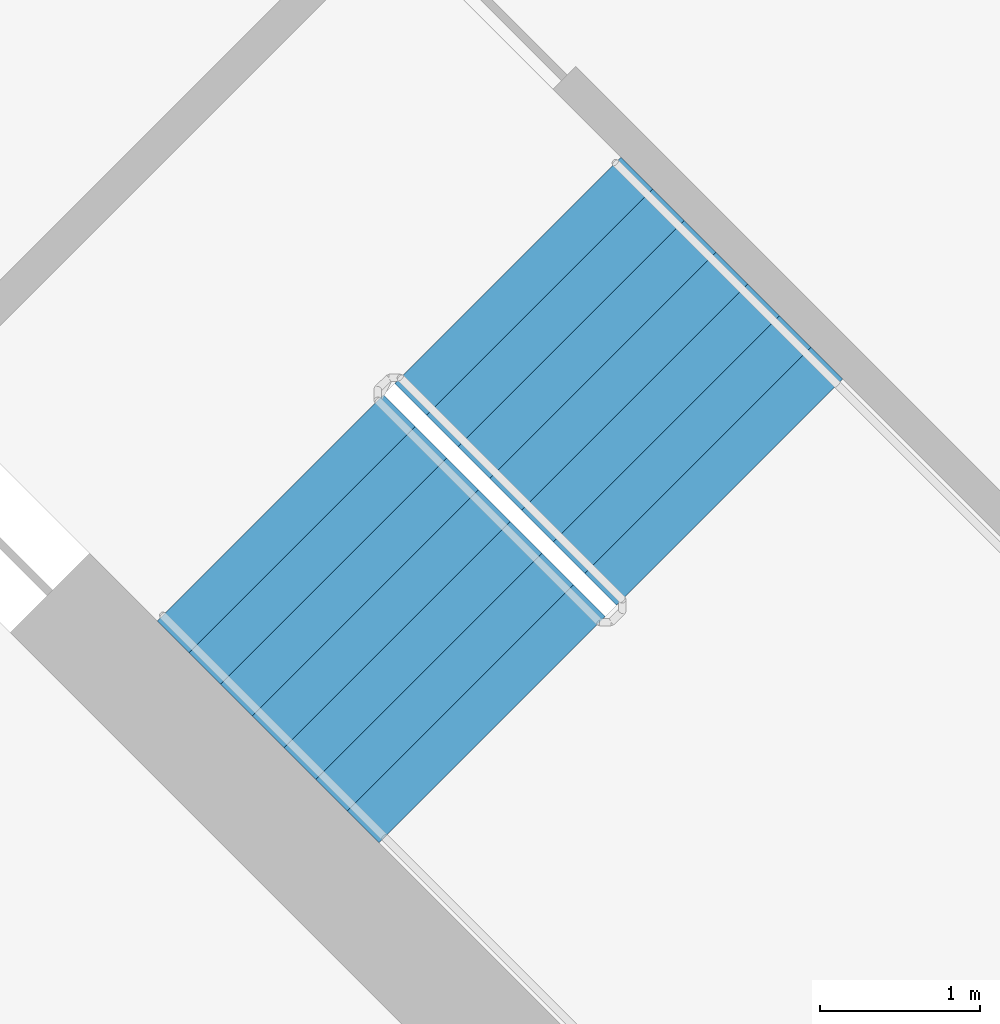
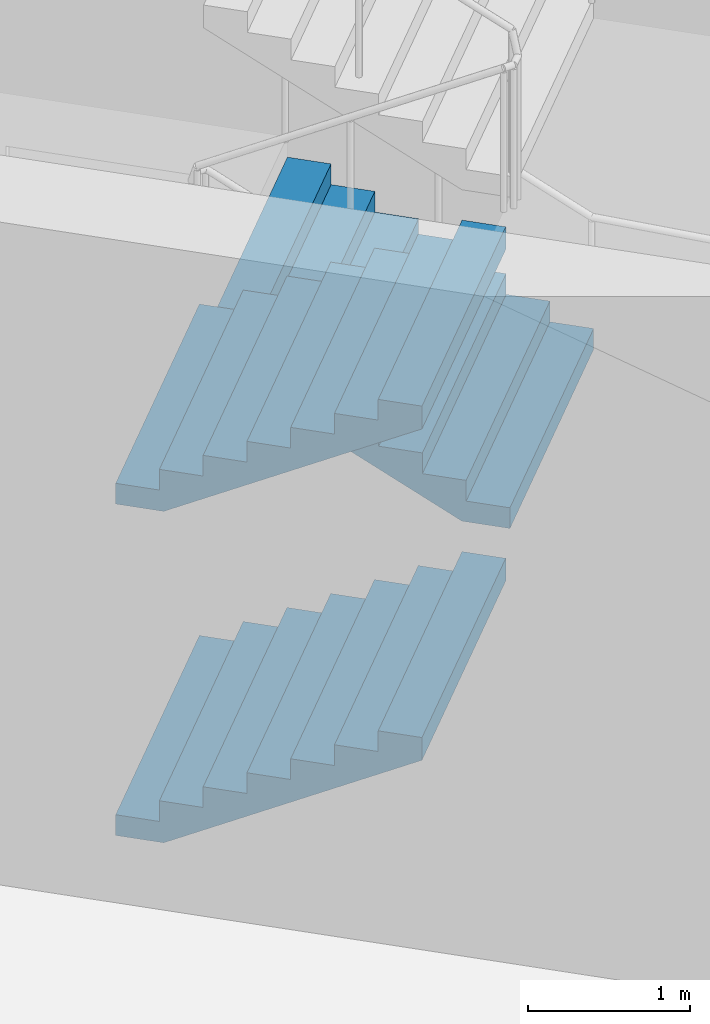
# One storey, part 12 of 17: 3 stair flights, 1 element without a shape of its own.
"""IFC4 building model written with IfcOpenShell, lengths in metres."""

from ifc_helpers import new_model, si_unit, direction, frame, origin, place, context, subcontext, project, spatial, triangles, material, type_object, element, aggregate, save


model = new_model("IFC4")

# Units and contexts
model_context = context("Model", 3, precision=1e-05, world=origin(), true_north=direction((0.0, 1.0)))
body_context = subcontext(model_context, "Body", "Model", "MODEL_VIEW")
ifc_project = project(units=[si_unit("LENGTHUNIT", "METRE"), si_unit("AREAUNIT", "SQUARE_METRE"), si_unit("VOLUMEUNIT", "CUBIC_METRE"), si_unit("PLANEANGLEUNIT", "RADIAN"), si_unit("MASSUNIT", "GRAM", prefix="KILO")], contexts=[model_context])

# Site, building, storey
site_placement = place(None, origin())
site = spatial("IfcSite", under=ifc_project, at=site_placement, CompositionType="ELEMENT")
building_placement = place(site_placement, origin())
building = spatial("IfcBuilding", under=site, at=building_placement, Name="Verdalira Terraces Hotel", CompositionType="ELEMENT")
storey_placement = place(building_placement, frame((0.0, 0.0, 128.0)))
storey = spatial("IfcBuildingStorey", under=building, at=storey_placement, Name="L30", CompositionType="ELEMENT", Elevation=128.0)

# Stair, stair flights
ifc_material_1 = material(Name="Concrete C40", Category="concrete")
stair_type = type_object("IfcStairType", Name="Core stair 32 risers 2000 mm wide", PredefinedType="HALF_TURN_STAIR", material=ifc_material_1)
stair_placement = place(storey_placement, origin())
stair = element("IfcStair", 1, at=stair_placement, inside=storey, type_object=stair_type, Name="L30 Exit stair ST2", PredefinedType="HALF_TURN_STAIR")
ifc_material_2 = material(Name="Concrete C40", Category="concrete")
stair_flight_type = type_object("IfcStairFlightType", Name="Core stair flight 32 risers 2000 mm wide", PredefinedType="STRAIGHT", material=ifc_material_2)
stair_flight_1_placement = place(storey_placement, frame((-10.041016, -7.354004, 0.0), z_axis=(0.0, 0.0, 1.0), x_axis=(0.707106781, -0.707106781, 0.0)))
stair_flight_1 = element("IfcStairFlight", 2, at=stair_flight_1_placement, type_object=stair_flight_type, Name="ST2 flight 1", NumberOfRisers=8, NumberOfTreads=7, PredefinedType="STRAIGHT", RiserHeight=0.15625, TreadLength=0.28, context=body_context, shape_type="Tessellation", body=[
    triangles([(0.0, 1.0, 0.0), (0.307617, 1.0, 0.0), (1.959961, 1.0, 0.922119), (0.0, -1.0, 0.0), (0.307617, -1.0, 0.0), (1.959961, -1.0, 0.922119), (1.959961, 1.0, 1.09375), (1.679932, 1.0, 1.09375), (1.959961, -1.0, 1.09375), (1.679932, -1.0, 1.09375), (1.679932, 1.0, 0.9375), (1.679932, -1.0, 0.9375), (1.399902, 1.0, 0.9375), (1.399902, -1.0, 0.9375), (1.399902, 1.0, 0.78125), (1.399902, -1.0, 0.78125), (1.120117, 1.0, 0.78125), (1.120117, 1.0, 0.625), (1.120117, -1.0, 0.78125), (1.120117, -1.0, 0.625), (0.840088, 1.0, 0.625), (0.840088, 1.0, 0.46875), (0.840088, -1.0, 0.625), (0.840088, -1.0, 0.46875), (0.560059, 1.0, 0.46875), (0.560059, 1.0, 0.3125), (0.560059, -1.0, 0.46875), (0.560059, -1.0, 0.3125), (0.280029, 1.0, 0.3125), (0.280029, 1.0, 0.15625), (0.280029, -1.0, 0.3125), (0.280029, -1.0, 0.15625), (0.0, 1.0, 0.15625), (0.0, -1.0, 0.15625), (0.0, -0.9375, 0.0), (0.0, -0.9375, 0.15625), (0.0, -0.875, 0.0), (0.0, -0.875, 0.15625), (0.0, -0.8125, 0.0), (0.0, -0.8125, 0.15625), (0.0, -0.75, 0.0), (0.0, -0.75, 0.15625), (0.0, -0.6875, 0.0), (0.0, -0.6875, 0.15625), (0.0, -0.625, 0.0), (0.0, -0.625, 0.15625), (0.0, -0.5625, 0.0), (0.0, -0.5625, 0.15625), (0.0, -0.5, 0.0), (0.0, -0.5, 0.15625), (0.0, -0.4375, 0.0), (0.0, -0.4375, 0.15625), (0.0, -0.375, 0.0), (0.0, -0.375, 0.15625), (0.0, -0.3125, 0.0), (0.0, -0.3125, 0.15625), (0.0, -0.25, 0.0), (0.0, -0.25, 0.15625), (0.0, -0.1875, 0.0), (0.0, -0.1875, 0.15625), (0.0, -0.125, 0.0), (0.0, -0.125, 0.15625), (0.0, -0.0625, 0.0), (0.0, -0.0625, 0.15625), (0.0, 0.0, 0.0), (0.0, 0.0, 0.15625), (0.0, 0.0625, 0.0), (0.0, 0.0625, 0.15625), (0.0, 0.125, 0.0), (0.0, 0.125, 0.15625), (0.0, 0.1875, 0.0), (0.0, 0.1875, 0.15625), (0.0, 0.25, 0.0), (0.0, 0.25, 0.15625), (0.0, 0.3125, 0.0), (0.0, 0.3125, 0.15625), (0.0, 0.375, 0.0), (0.0, 0.375, 0.15625), (0.0, 0.4375, 0.0), (0.0, 0.4375, 0.15625), (0.0, 0.5, 0.0), (0.0, 0.5, 0.15625), (0.0, 0.5625, 0.0), (0.0, 0.5625, 0.15625), (0.0, 0.625, 0.0), (0.0, 0.625, 0.15625), (0.0, 0.6875, 0.0), (0.0, 0.6875, 0.15625), (0.0, 0.75, 0.0), (0.0, 0.75, 0.15625), (0.0, 0.8125, 0.0), (0.0, 0.8125, 0.15625), (0.0, 0.875, 0.0), (0.0, 0.875, 0.15625), (0.0, 0.9375, 0.0), (0.0, 0.9375, 0.15625), (1.959961, -0.9375, 1.09375), (1.959961, -0.875, 1.09375), (1.959961, -0.8125, 1.09375), (1.959961, -0.75, 1.09375), (1.959961, -0.6875, 1.09375), (1.959961, -0.625, 1.09375), (1.959961, -0.5625, 1.09375), (1.959961, -0.5, 1.09375), (1.959961, -0.4375, 1.09375), (1.959961, -0.375, 1.09375), (1.959961, -0.3125, 1.09375), (1.959961, -0.25, 1.09375), (1.959961, -0.1875, 1.09375), (1.959961, -0.125, 1.09375), (1.959961, -0.0625, 1.09375), (1.959961, 0.0, 1.09375), (1.959961, 0.0625, 1.09375), (1.959961, 0.125, 1.09375), (1.959961, 0.1875, 1.09375), (1.959961, 0.25, 1.09375), (1.959961, 0.3125, 1.09375), (1.959961, 0.375, 1.09375), (1.959961, 0.4375, 1.09375), (1.959961, 0.5, 1.09375), (1.959961, 0.5625, 1.09375), (1.959961, 0.625, 1.09375), (1.959961, 0.6875, 1.09375), (1.959961, 0.75, 1.09375), (1.959961, 0.8125, 1.09375), (1.959961, 0.875, 1.09375), (1.959961, 0.9375, 1.09375), (1.959961, -0.9375, 0.922119), (1.959961, -0.875, 0.922119), (1.959961, -0.8125, 0.922119), (1.959961, -0.75, 0.922119), (1.959961, -0.6875, 0.922119), (1.959961, -0.625, 0.922119), (1.959961, -0.5625, 0.922119), (1.959961, -0.5, 0.922119), (1.959961, -0.4375, 0.922119), (1.959961, -0.375, 0.922119), (1.959961, -0.3125, 0.922119), (1.959961, -0.25, 0.922119), (1.959961, -0.1875, 0.922119), (1.959961, -0.125, 0.922119), (1.959961, -0.0625, 0.922119), (1.959961, 0.0, 0.922119), (1.959961, 0.0625, 0.922119), (1.959961, 0.125, 0.922119), (1.959961, 0.1875, 0.922119), (1.959961, 0.25, 0.922119), (1.959961, 0.3125, 0.922119), (1.959961, 0.375, 0.922119), (1.959961, 0.4375, 0.922119), (1.959961, 0.5, 0.922119), (1.959961, 0.5625, 0.922119), (1.959961, 0.625, 0.922119), (1.959961, 0.6875, 0.922119), (1.959961, 0.75, 0.922119), (1.959961, 0.8125, 0.922119), (1.959961, 0.875, 0.922119), (1.959961, 0.9375, 0.922119)], [[1, 3, 2], [4, 5, 6], [3, 8, 7], [6, 9, 10], [3, 11, 8], [6, 10, 12], [3, 13, 11], [6, 12, 14], [3, 15, 13], [6, 14, 16], [15, 18, 17], [16, 19, 20], [3, 18, 15], [6, 16, 20], [18, 22, 21], [20, 23, 24], [3, 22, 18], [6, 20, 24], [22, 26, 25], [24, 27, 28], [3, 26, 22], [6, 24, 28], [26, 30, 29], [28, 31, 32], [3, 30, 26], [6, 28, 32], [1, 30, 3], [4, 6, 32], [30, 1, 33], [32, 34, 4], [4, 36, 35], [4, 34, 36], [35, 38, 37], [35, 36, 38], [37, 40, 39], [37, 38, 40], [39, 42, 41], [39, 40, 42], [41, 44, 43], [41, 42, 44], [43, 46, 45], [43, 44, 46], [45, 48, 47], [45, 46, 48], [47, 50, 49], [47, 48, 50], [49, 52, 51], [49, 50, 52], [51, 54, 53], [51, 52, 54], [53, 56, 55], [53, 54, 56], [55, 58, 57], [55, 56, 58], [57, 60, 59], [57, 58, 60], [59, 62, 61], [59, 60, 62], [61, 64, 63], [61, 62, 64], [63, 66, 65], [63, 64, 66], [65, 68, 67], [65, 66, 68], [67, 70, 69], [67, 68, 70], [69, 72, 71], [69, 70, 72], [71, 74, 73], [71, 72, 74], [73, 76, 75], [73, 74, 76], [75, 78, 77], [75, 76, 78], [77, 80, 79], [77, 78, 80], [79, 82, 81], [79, 80, 82], [81, 84, 83], [81, 82, 84], [83, 86, 85], [83, 84, 86], [85, 88, 87], [85, 86, 88], [87, 90, 89], [87, 88, 90], [89, 92, 91], [89, 90, 92], [91, 94, 93], [91, 92, 94], [93, 96, 95], [93, 94, 96], [95, 33, 1], [95, 96, 33], [34, 32, 36], [36, 32, 38], [38, 32, 40], [40, 32, 42], [42, 32, 44], [44, 32, 46], [46, 32, 48], [48, 32, 50], [50, 32, 52], [52, 32, 54], [54, 32, 56], [56, 32, 58], [58, 32, 60], [60, 32, 62], [62, 32, 64], [64, 32, 66], [66, 32, 68], [68, 32, 70], [70, 32, 72], [72, 32, 74], [74, 32, 76], [76, 32, 78], [78, 32, 80], [80, 32, 82], [82, 32, 84], [84, 32, 86], [86, 32, 88], [88, 32, 90], [90, 32, 92], [92, 32, 94], [94, 32, 96], [96, 32, 33], [33, 32, 30], [32, 29, 30], [32, 31, 29], [31, 26, 29], [31, 28, 26], [28, 25, 26], [28, 27, 25], [27, 22, 25], [27, 24, 22], [24, 21, 22], [24, 23, 21], [23, 18, 21], [23, 20, 18], [20, 17, 18], [20, 19, 17], [19, 15, 17], [19, 16, 15], [16, 13, 15], [16, 14, 13], [14, 11, 13], [14, 12, 11], [12, 8, 11], [12, 10, 8], [9, 97, 10], [97, 98, 10], [98, 99, 10], [99, 100, 10], [100, 101, 10], [101, 102, 10], [102, 103, 10], [103, 104, 10], [104, 105, 10], [105, 106, 10], [106, 107, 10], [107, 108, 10], [108, 109, 10], [109, 110, 10], [110, 111, 10], [111, 112, 10], [112, 113, 10], [113, 114, 10], [114, 115, 10], [115, 116, 10], [116, 117, 10], [117, 118, 10], [118, 119, 10], [119, 120, 10], [120, 121, 10], [121, 122, 10], [122, 123, 10], [123, 124, 10], [124, 125, 10], [125, 126, 10], [126, 127, 10], [127, 7, 10], [7, 8, 10], [9, 128, 97], [9, 6, 128], [97, 129, 98], [97, 128, 129], [98, 130, 99], [98, 129, 130], [99, 131, 100], [99, 130, 131], [100, 132, 101], [100, 131, 132], [101, 133, 102], [101, 132, 133], [102, 134, 103], [102, 133, 134], [103, 135, 104], [103, 134, 135], [104, 136, 105], [104, 135, 136], [105, 137, 106], [105, 136, 137], [106, 138, 107], [106, 137, 138], [107, 139, 108], [107, 138, 139], [108, 140, 109], [108, 139, 140], [109, 141, 110], [109, 140, 141], [110, 142, 111], [110, 141, 142], [111, 143, 112], [111, 142, 143], [112, 144, 113], [112, 143, 144], [113, 145, 114], [113, 144, 145], [114, 146, 115], [114, 145, 146], [115, 147, 116], [115, 146, 147], [116, 148, 117], [116, 147, 148], [117, 149, 118], [117, 148, 149], [118, 150, 119], [118, 149, 150], [119, 151, 120], [119, 150, 151], [120, 152, 121], [120, 151, 152], [121, 153, 122], [121, 152, 153], [122, 154, 123], [122, 153, 154], [123, 155, 124], [123, 154, 155], [124, 156, 125], [124, 155, 156], [125, 157, 126], [125, 156, 157], [126, 158, 127], [126, 157, 158], [127, 3, 7], [127, 158, 3], [6, 5, 128], [128, 5, 129], [129, 5, 130], [130, 5, 131], [131, 5, 132], [132, 5, 133], [133, 5, 134], [134, 5, 135], [135, 5, 136], [136, 5, 137], [137, 5, 138], [138, 5, 139], [139, 5, 140], [140, 5, 141], [141, 5, 142], [142, 5, 143], [143, 5, 144], [144, 5, 145], [145, 5, 146], [146, 5, 147], [147, 5, 148], [148, 5, 149], [149, 5, 150], [150, 5, 151], [151, 5, 152], [152, 5, 153], [153, 5, 154], [154, 5, 155], [155, 5, 156], [156, 5, 157], [157, 5, 158], [158, 5, 3], [3, 5, 2], [4, 35, 5], [35, 37, 5], [37, 39, 5], [39, 41, 5], [41, 43, 5], [43, 45, 5], [45, 47, 5], [47, 49, 5], [49, 51, 5], [51, 53, 5], [53, 55, 5], [55, 57, 5], [57, 59, 5], [59, 61, 5], [61, 63, 5], [63, 65, 5], [65, 67, 5], [67, 69, 5], [69, 71, 5], [71, 73, 5], [73, 75, 5], [75, 77, 5], [77, 79, 5], [79, 81, 5], [81, 83, 5], [83, 85, 5], [85, 87, 5], [87, 89, 5], [89, 91, 5], [91, 93, 5], [93, 95, 5], [95, 1, 5], [1, 2, 5]], closed=True),
])
stair_flight_2_placement = place(storey_placement, frame((-7.170166, -7.254883, 1.25), z_axis=(0.0, 0.0, 1.0), x_axis=(-0.707106781, 0.707106781, 0.0)))
stair_flight_2 = element("IfcStairFlight", 3, at=stair_flight_2_placement, type_object=stair_flight_type, Name="ST2 flight 2", NumberOfRisers=8, NumberOfTreads=7, PredefinedType="STRAIGHT", RiserHeight=0.15625, TreadLength=0.28, context=body_context, shape_type="Tessellation", body=[
    triangles([(0.0, 1.0, 0.0), (0.307617, 1.0, 0.0), (1.959961, 1.0, 0.922119), (0.0, -1.0, 0.0), (0.307617, -1.0, 0.0), (1.959961, -1.0, 0.922119), (1.959961, 1.0, 1.09375), (1.679932, 1.0, 1.09375), (1.959961, -1.0, 1.09375), (1.679932, -1.0, 1.09375), (1.679932, 1.0, 0.9375), (1.679932, -1.0, 0.9375), (1.399902, 1.0, 0.9375), (1.399902, -1.0, 0.9375), (1.399902, 1.0, 0.78125), (1.399902, -1.0, 0.78125), (1.120117, 1.0, 0.78125), (1.120117, 1.0, 0.625), (1.120117, -1.0, 0.78125), (1.120117, -1.0, 0.625), (0.840088, 1.0, 0.625), (0.840088, 1.0, 0.46875), (0.840088, -1.0, 0.625), (0.840088, -1.0, 0.46875), (0.560059, 1.0, 0.46875), (0.560059, 1.0, 0.3125), (0.560059, -1.0, 0.46875), (0.560059, -1.0, 0.3125), (0.280029, 1.0, 0.3125), (0.280029, 1.0, 0.15625), (0.280029, -1.0, 0.3125), (0.280029, -1.0, 0.15625), (0.0, 1.0, 0.15625), (0.0, -1.0, 0.15625), (0.0, -0.9375, 0.0), (0.0, -0.9375, 0.15625), (0.0, -0.875, 0.0), (0.0, -0.875, 0.15625), (0.0, -0.8125, 0.0), (0.0, -0.8125, 0.15625), (0.0, -0.75, 0.0), (0.0, -0.75, 0.15625), (0.0, -0.6875, 0.0), (0.0, -0.6875, 0.15625), (0.0, -0.625, 0.0), (0.0, -0.625, 0.15625), (0.0, -0.5625, 0.0), (0.0, -0.5625, 0.15625), (0.0, -0.5, 0.0), (0.0, -0.5, 0.15625), (0.0, -0.4375, 0.0), (0.0, -0.4375, 0.15625), (0.0, -0.375, 0.0), (0.0, -0.375, 0.15625), (0.0, -0.3125, 0.0), (0.0, -0.3125, 0.15625), (0.0, -0.25, 0.0), (0.0, -0.25, 0.15625), (0.0, -0.1875, 0.0), (0.0, -0.1875, 0.15625), (0.0, -0.125, 0.0), (0.0, -0.125, 0.15625), (0.0, -0.0625, 0.0), (0.0, -0.0625, 0.15625), (0.0, 0.0, 0.0), (0.0, 0.0, 0.15625), (0.0, 0.0625, 0.0), (0.0, 0.0625, 0.15625), (0.0, 0.125, 0.0), (0.0, 0.125, 0.15625), (0.0, 0.1875, 0.0), (0.0, 0.1875, 0.15625), (0.0, 0.25, 0.0), (0.0, 0.25, 0.15625), (0.0, 0.3125, 0.0), (0.0, 0.3125, 0.15625), (0.0, 0.375, 0.0), (0.0, 0.375, 0.15625), (0.0, 0.4375, 0.0), (0.0, 0.4375, 0.15625), (0.0, 0.5, 0.0), (0.0, 0.5, 0.15625), (0.0, 0.5625, 0.0), (0.0, 0.5625, 0.15625), (0.0, 0.625, 0.0), (0.0, 0.625, 0.15625), (0.0, 0.6875, 0.0), (0.0, 0.6875, 0.15625), (0.0, 0.75, 0.0), (0.0, 0.75, 0.15625), (0.0, 0.8125, 0.0), (0.0, 0.8125, 0.15625), (0.0, 0.875, 0.0), (0.0, 0.875, 0.15625), (0.0, 0.9375, 0.0), (0.0, 0.9375, 0.15625), (1.959961, -0.9375, 1.09375), (1.959961, -0.875, 1.09375), (1.959961, -0.8125, 1.09375), (1.959961, -0.75, 1.09375), (1.959961, -0.6875, 1.09375), (1.959961, -0.625, 1.09375), (1.959961, -0.5625, 1.09375), (1.959961, -0.5, 1.09375), (1.959961, -0.4375, 1.09375), (1.959961, -0.375, 1.09375), (1.959961, -0.3125, 1.09375), (1.959961, -0.25, 1.09375), (1.959961, -0.1875, 1.09375), (1.959961, -0.125, 1.09375), (1.959961, -0.0625, 1.09375), (1.959961, 0.0, 1.09375), (1.959961, 0.0625, 1.09375), (1.959961, 0.125, 1.09375), (1.959961, 0.1875, 1.09375), (1.959961, 0.25, 1.09375), (1.959961, 0.3125, 1.09375), (1.959961, 0.375, 1.09375), (1.959961, 0.4375, 1.09375), (1.959961, 0.5, 1.09375), (1.959961, 0.5625, 1.09375), (1.959961, 0.625, 1.09375), (1.959961, 0.6875, 1.09375), (1.959961, 0.75, 1.09375), (1.959961, 0.8125, 1.09375), (1.959961, 0.875, 1.09375), (1.959961, 0.9375, 1.09375), (1.959961, -0.9375, 0.922119), (1.959961, -0.875, 0.922119), (1.959961, -0.8125, 0.922119), (1.959961, -0.75, 0.922119), (1.959961, -0.6875, 0.922119), (1.959961, -0.625, 0.922119), (1.959961, -0.5625, 0.922119), (1.959961, -0.5, 0.922119), (1.959961, -0.4375, 0.922119), (1.959961, -0.375, 0.922119), (1.959961, -0.3125, 0.922119), (1.959961, -0.25, 0.922119), (1.959961, -0.1875, 0.922119), (1.959961, -0.125, 0.922119), (1.959961, -0.0625, 0.922119), (1.959961, 0.0, 0.922119), (1.959961, 0.0625, 0.922119), (1.959961, 0.125, 0.922119), (1.959961, 0.1875, 0.922119), (1.959961, 0.25, 0.922119), (1.959961, 0.3125, 0.922119), (1.959961, 0.375, 0.922119), (1.959961, 0.4375, 0.922119), (1.959961, 0.5, 0.922119), (1.959961, 0.5625, 0.922119), (1.959961, 0.625, 0.922119), (1.959961, 0.6875, 0.922119), (1.959961, 0.75, 0.922119), (1.959961, 0.8125, 0.922119), (1.959961, 0.875, 0.922119), (1.959961, 0.9375, 0.922119)], [[1, 3, 2], [4, 5, 6], [3, 8, 7], [6, 9, 10], [3, 11, 8], [6, 10, 12], [3, 13, 11], [6, 12, 14], [3, 15, 13], [6, 14, 16], [15, 18, 17], [16, 19, 20], [3, 18, 15], [6, 16, 20], [18, 22, 21], [20, 23, 24], [3, 22, 18], [6, 20, 24], [22, 26, 25], [24, 27, 28], [3, 26, 22], [6, 24, 28], [26, 30, 29], [28, 31, 32], [3, 30, 26], [6, 28, 32], [1, 30, 3], [4, 6, 32], [30, 1, 33], [32, 34, 4], [4, 36, 35], [4, 34, 36], [35, 38, 37], [35, 36, 38], [37, 40, 39], [37, 38, 40], [39, 42, 41], [39, 40, 42], [41, 44, 43], [41, 42, 44], [43, 46, 45], [43, 44, 46], [45, 48, 47], [45, 46, 48], [47, 50, 49], [47, 48, 50], [49, 52, 51], [49, 50, 52], [51, 54, 53], [51, 52, 54], [53, 56, 55], [53, 54, 56], [55, 58, 57], [55, 56, 58], [57, 60, 59], [57, 58, 60], [59, 62, 61], [59, 60, 62], [61, 64, 63], [61, 62, 64], [63, 66, 65], [63, 64, 66], [65, 68, 67], [65, 66, 68], [67, 70, 69], [67, 68, 70], [69, 72, 71], [69, 70, 72], [71, 74, 73], [71, 72, 74], [73, 76, 75], [73, 74, 76], [75, 78, 77], [75, 76, 78], [77, 80, 79], [77, 78, 80], [79, 82, 81], [79, 80, 82], [81, 84, 83], [81, 82, 84], [83, 86, 85], [83, 84, 86], [85, 88, 87], [85, 86, 88], [87, 90, 89], [87, 88, 90], [89, 92, 91], [89, 90, 92], [91, 94, 93], [91, 92, 94], [93, 96, 95], [93, 94, 96], [95, 33, 1], [95, 96, 33], [34, 32, 36], [36, 32, 38], [38, 32, 40], [40, 32, 42], [42, 32, 44], [44, 32, 46], [46, 32, 48], [48, 32, 50], [50, 32, 52], [52, 32, 54], [54, 32, 56], [56, 32, 58], [58, 32, 60], [60, 32, 62], [62, 32, 64], [64, 32, 66], [66, 32, 68], [68, 32, 70], [70, 32, 72], [72, 32, 74], [74, 32, 76], [76, 32, 78], [78, 32, 80], [80, 32, 82], [82, 32, 84], [84, 32, 86], [86, 32, 88], [88, 32, 90], [90, 32, 92], [92, 32, 94], [94, 32, 96], [96, 32, 33], [33, 32, 30], [32, 29, 30], [32, 31, 29], [31, 26, 29], [31, 28, 26], [28, 25, 26], [28, 27, 25], [27, 22, 25], [27, 24, 22], [24, 21, 22], [24, 23, 21], [23, 18, 21], [23, 20, 18], [20, 17, 18], [20, 19, 17], [19, 15, 17], [19, 16, 15], [16, 13, 15], [16, 14, 13], [14, 11, 13], [14, 12, 11], [12, 8, 11], [12, 10, 8], [9, 97, 10], [97, 98, 10], [98, 99, 10], [99, 100, 10], [100, 101, 10], [101, 102, 10], [102, 103, 10], [103, 104, 10], [104, 105, 10], [105, 106, 10], [106, 107, 10], [107, 108, 10], [108, 109, 10], [109, 110, 10], [110, 111, 10], [111, 112, 10], [112, 113, 10], [113, 114, 10], [114, 115, 10], [115, 116, 10], [116, 117, 10], [117, 118, 10], [118, 119, 10], [119, 120, 10], [120, 121, 10], [121, 122, 10], [122, 123, 10], [123, 124, 10], [124, 125, 10], [125, 126, 10], [126, 127, 10], [127, 7, 10], [7, 8, 10], [9, 128, 97], [9, 6, 128], [97, 129, 98], [97, 128, 129], [98, 130, 99], [98, 129, 130], [99, 131, 100], [99, 130, 131], [100, 132, 101], [100, 131, 132], [101, 133, 102], [101, 132, 133], [102, 134, 103], [102, 133, 134], [103, 135, 104], [103, 134, 135], [104, 136, 105], [104, 135, 136], [105, 137, 106], [105, 136, 137], [106, 138, 107], [106, 137, 138], [107, 139, 108], [107, 138, 139], [108, 140, 109], [108, 139, 140], [109, 141, 110], [109, 140, 141], [110, 142, 111], [110, 141, 142], [111, 143, 112], [111, 142, 143], [112, 144, 113], [112, 143, 144], [113, 145, 114], [113, 144, 145], [114, 146, 115], [114, 145, 146], [115, 147, 116], [115, 146, 147], [116, 148, 117], [116, 147, 148], [117, 149, 118], [117, 148, 149], [118, 150, 119], [118, 149, 150], [119, 151, 120], [119, 150, 151], [120, 152, 121], [120, 151, 152], [121, 153, 122], [121, 152, 153], [122, 154, 123], [122, 153, 154], [123, 155, 124], [123, 154, 155], [124, 156, 125], [124, 155, 156], [125, 157, 126], [125, 156, 157], [126, 158, 127], [126, 157, 158], [127, 3, 7], [127, 158, 3], [6, 5, 128], [128, 5, 129], [129, 5, 130], [130, 5, 131], [131, 5, 132], [132, 5, 133], [133, 5, 134], [134, 5, 135], [135, 5, 136], [136, 5, 137], [137, 5, 138], [138, 5, 139], [139, 5, 140], [140, 5, 141], [141, 5, 142], [142, 5, 143], [143, 5, 144], [144, 5, 145], [145, 5, 146], [146, 5, 147], [147, 5, 148], [148, 5, 149], [149, 5, 150], [150, 5, 151], [151, 5, 152], [152, 5, 153], [153, 5, 154], [154, 5, 155], [155, 5, 156], [156, 5, 157], [157, 5, 158], [158, 5, 3], [3, 5, 2], [4, 35, 5], [35, 37, 5], [37, 39, 5], [39, 41, 5], [41, 43, 5], [43, 45, 5], [45, 47, 5], [47, 49, 5], [49, 51, 5], [51, 53, 5], [53, 55, 5], [55, 57, 5], [57, 59, 5], [59, 61, 5], [61, 63, 5], [63, 65, 5], [65, 67, 5], [67, 69, 5], [69, 71, 5], [71, 73, 5], [73, 75, 5], [75, 77, 5], [77, 79, 5], [79, 81, 5], [81, 83, 5], [83, 85, 5], [85, 87, 5], [87, 89, 5], [89, 91, 5], [91, 93, 5], [93, 95, 5], [95, 1, 5], [1, 2, 5]], closed=True),
])
stair_flight_3_placement = place(storey_placement, frame((-10.041016, -7.354004, 2.5), z_axis=(0.0, 0.0, 1.0), x_axis=(0.707106781, -0.707106781, 0.0)))
stair_flight_3 = element("IfcStairFlight", 4, at=stair_flight_3_placement, type_object=stair_flight_type, Name="ST2 flight 3", NumberOfRisers=8, NumberOfTreads=7, PredefinedType="STRAIGHT", RiserHeight=0.15625, TreadLength=0.28, context=body_context, shape_type="Tessellation", body=[
    triangles([(0.0, 1.0, 0.0), (0.307617, 1.0, 0.0), (1.959961, 1.0, 0.922119), (0.0, -1.0, 0.0), (0.307617, -1.0, 0.0), (1.959961, -1.0, 0.922119), (1.959961, 1.0, 1.09375), (1.679932, 1.0, 1.09375), (1.959961, -1.0, 1.09375), (1.679932, -1.0, 1.09375), (1.679932, 1.0, 0.9375), (1.679932, -1.0, 0.9375), (1.399902, 1.0, 0.9375), (1.399902, -1.0, 0.9375), (1.399902, 1.0, 0.78125), (1.399902, -1.0, 0.78125), (1.120117, 1.0, 0.78125), (1.120117, 1.0, 0.625), (1.120117, -1.0, 0.78125), (1.120117, -1.0, 0.625), (0.840088, 1.0, 0.625), (0.840088, 1.0, 0.46875), (0.840088, -1.0, 0.625), (0.840088, -1.0, 0.46875), (0.560059, 1.0, 0.46875), (0.560059, 1.0, 0.3125), (0.560059, -1.0, 0.46875), (0.560059, -1.0, 0.3125), (0.280029, 1.0, 0.3125), (0.280029, 1.0, 0.15625), (0.280029, -1.0, 0.3125), (0.280029, -1.0, 0.15625), (0.0, 1.0, 0.15625), (0.0, -1.0, 0.15625), (0.0, -0.9375, 0.0), (0.0, -0.9375, 0.15625), (0.0, -0.875, 0.0), (0.0, -0.875, 0.15625), (0.0, -0.8125, 0.0), (0.0, -0.8125, 0.15625), (0.0, -0.75, 0.0), (0.0, -0.75, 0.15625), (0.0, -0.6875, 0.0), (0.0, -0.6875, 0.15625), (0.0, -0.625, 0.0), (0.0, -0.625, 0.15625), (0.0, -0.5625, 0.0), (0.0, -0.5625, 0.15625), (0.0, -0.5, 0.0), (0.0, -0.5, 0.15625), (0.0, -0.4375, 0.0), (0.0, -0.4375, 0.15625), (0.0, -0.375, 0.0), (0.0, -0.375, 0.15625), (0.0, -0.3125, 0.0), (0.0, -0.3125, 0.15625), (0.0, -0.25, 0.0), (0.0, -0.25, 0.15625), (0.0, -0.1875, 0.0), (0.0, -0.1875, 0.15625), (0.0, -0.125, 0.0), (0.0, -0.125, 0.15625), (0.0, -0.0625, 0.0), (0.0, -0.0625, 0.15625), (0.0, 0.0, 0.0), (0.0, 0.0, 0.15625), (0.0, 0.0625, 0.0), (0.0, 0.0625, 0.15625), (0.0, 0.125, 0.0), (0.0, 0.125, 0.15625), (0.0, 0.1875, 0.0), (0.0, 0.1875, 0.15625), (0.0, 0.25, 0.0), (0.0, 0.25, 0.15625), (0.0, 0.3125, 0.0), (0.0, 0.3125, 0.15625), (0.0, 0.375, 0.0), (0.0, 0.375, 0.15625), (0.0, 0.4375, 0.0), (0.0, 0.4375, 0.15625), (0.0, 0.5, 0.0), (0.0, 0.5, 0.15625), (0.0, 0.5625, 0.0), (0.0, 0.5625, 0.15625), (0.0, 0.625, 0.0), (0.0, 0.625, 0.15625), (0.0, 0.6875, 0.0), (0.0, 0.6875, 0.15625), (0.0, 0.75, 0.0), (0.0, 0.75, 0.15625), (0.0, 0.8125, 0.0), (0.0, 0.8125, 0.15625), (0.0, 0.875, 0.0), (0.0, 0.875, 0.15625), (0.0, 0.9375, 0.0), (0.0, 0.9375, 0.15625), (1.959961, -0.9375, 1.09375), (1.959961, -0.875, 1.09375), (1.959961, -0.8125, 1.09375), (1.959961, -0.75, 1.09375), (1.959961, -0.6875, 1.09375), (1.959961, -0.625, 1.09375), (1.959961, -0.5625, 1.09375), (1.959961, -0.5, 1.09375), (1.959961, -0.4375, 1.09375), (1.959961, -0.375, 1.09375), (1.959961, -0.3125, 1.09375), (1.959961, -0.25, 1.09375), (1.959961, -0.1875, 1.09375), (1.959961, -0.125, 1.09375), (1.959961, -0.0625, 1.09375), (1.959961, 0.0, 1.09375), (1.959961, 0.0625, 1.09375), (1.959961, 0.125, 1.09375), (1.959961, 0.1875, 1.09375), (1.959961, 0.25, 1.09375), (1.959961, 0.3125, 1.09375), (1.959961, 0.375, 1.09375), (1.959961, 0.4375, 1.09375), (1.959961, 0.5, 1.09375), (1.959961, 0.5625, 1.09375), (1.959961, 0.625, 1.09375), (1.959961, 0.6875, 1.09375), (1.959961, 0.75, 1.09375), (1.959961, 0.8125, 1.09375), (1.959961, 0.875, 1.09375), (1.959961, 0.9375, 1.09375), (1.959961, -0.9375, 0.922119), (1.959961, -0.875, 0.922119), (1.959961, -0.8125, 0.922119), (1.959961, -0.75, 0.922119), (1.959961, -0.6875, 0.922119), (1.959961, -0.625, 0.922119), (1.959961, -0.5625, 0.922119), (1.959961, -0.5, 0.922119), (1.959961, -0.4375, 0.922119), (1.959961, -0.375, 0.922119), (1.959961, -0.3125, 0.922119), (1.959961, -0.25, 0.922119), (1.959961, -0.1875, 0.922119), (1.959961, -0.125, 0.922119), (1.959961, -0.0625, 0.922119), (1.959961, 0.0, 0.922119), (1.959961, 0.0625, 0.922119), (1.959961, 0.125, 0.922119), (1.959961, 0.1875, 0.922119), (1.959961, 0.25, 0.922119), (1.959961, 0.3125, 0.922119), (1.959961, 0.375, 0.922119), (1.959961, 0.4375, 0.922119), (1.959961, 0.5, 0.922119), (1.959961, 0.5625, 0.922119), (1.959961, 0.625, 0.922119), (1.959961, 0.6875, 0.922119), (1.959961, 0.75, 0.922119), (1.959961, 0.8125, 0.922119), (1.959961, 0.875, 0.922119), (1.959961, 0.9375, 0.922119)], [[1, 3, 2], [4, 5, 6], [3, 8, 7], [6, 9, 10], [3, 11, 8], [6, 10, 12], [3, 13, 11], [6, 12, 14], [3, 15, 13], [6, 14, 16], [15, 18, 17], [16, 19, 20], [3, 18, 15], [6, 16, 20], [18, 22, 21], [20, 23, 24], [3, 22, 18], [6, 20, 24], [22, 26, 25], [24, 27, 28], [3, 26, 22], [6, 24, 28], [26, 30, 29], [28, 31, 32], [3, 30, 26], [6, 28, 32], [1, 30, 3], [4, 6, 32], [30, 1, 33], [32, 34, 4], [4, 36, 35], [4, 34, 36], [35, 38, 37], [35, 36, 38], [37, 40, 39], [37, 38, 40], [39, 42, 41], [39, 40, 42], [41, 44, 43], [41, 42, 44], [43, 46, 45], [43, 44, 46], [45, 48, 47], [45, 46, 48], [47, 50, 49], [47, 48, 50], [49, 52, 51], [49, 50, 52], [51, 54, 53], [51, 52, 54], [53, 56, 55], [53, 54, 56], [55, 58, 57], [55, 56, 58], [57, 60, 59], [57, 58, 60], [59, 62, 61], [59, 60, 62], [61, 64, 63], [61, 62, 64], [63, 66, 65], [63, 64, 66], [65, 68, 67], [65, 66, 68], [67, 70, 69], [67, 68, 70], [69, 72, 71], [69, 70, 72], [71, 74, 73], [71, 72, 74], [73, 76, 75], [73, 74, 76], [75, 78, 77], [75, 76, 78], [77, 80, 79], [77, 78, 80], [79, 82, 81], [79, 80, 82], [81, 84, 83], [81, 82, 84], [83, 86, 85], [83, 84, 86], [85, 88, 87], [85, 86, 88], [87, 90, 89], [87, 88, 90], [89, 92, 91], [89, 90, 92], [91, 94, 93], [91, 92, 94], [93, 96, 95], [93, 94, 96], [95, 33, 1], [95, 96, 33], [34, 32, 36], [36, 32, 38], [38, 32, 40], [40, 32, 42], [42, 32, 44], [44, 32, 46], [46, 32, 48], [48, 32, 50], [50, 32, 52], [52, 32, 54], [54, 32, 56], [56, 32, 58], [58, 32, 60], [60, 32, 62], [62, 32, 64], [64, 32, 66], [66, 32, 68], [68, 32, 70], [70, 32, 72], [72, 32, 74], [74, 32, 76], [76, 32, 78], [78, 32, 80], [80, 32, 82], [82, 32, 84], [84, 32, 86], [86, 32, 88], [88, 32, 90], [90, 32, 92], [92, 32, 94], [94, 32, 96], [96, 32, 33], [33, 32, 30], [32, 29, 30], [32, 31, 29], [31, 26, 29], [31, 28, 26], [28, 25, 26], [28, 27, 25], [27, 22, 25], [27, 24, 22], [24, 21, 22], [24, 23, 21], [23, 18, 21], [23, 20, 18], [20, 17, 18], [20, 19, 17], [19, 15, 17], [19, 16, 15], [16, 13, 15], [16, 14, 13], [14, 11, 13], [14, 12, 11], [12, 8, 11], [12, 10, 8], [9, 97, 10], [97, 98, 10], [98, 99, 10], [99, 100, 10], [100, 101, 10], [101, 102, 10], [102, 103, 10], [103, 104, 10], [104, 105, 10], [105, 106, 10], [106, 107, 10], [107, 108, 10], [108, 109, 10], [109, 110, 10], [110, 111, 10], [111, 112, 10], [112, 113, 10], [113, 114, 10], [114, 115, 10], [115, 116, 10], [116, 117, 10], [117, 118, 10], [118, 119, 10], [119, 120, 10], [120, 121, 10], [121, 122, 10], [122, 123, 10], [123, 124, 10], [124, 125, 10], [125, 126, 10], [126, 127, 10], [127, 7, 10], [7, 8, 10], [9, 128, 97], [9, 6, 128], [97, 129, 98], [97, 128, 129], [98, 130, 99], [98, 129, 130], [99, 131, 100], [99, 130, 131], [100, 132, 101], [100, 131, 132], [101, 133, 102], [101, 132, 133], [102, 134, 103], [102, 133, 134], [103, 135, 104], [103, 134, 135], [104, 136, 105], [104, 135, 136], [105, 137, 106], [105, 136, 137], [106, 138, 107], [106, 137, 138], [107, 139, 108], [107, 138, 139], [108, 140, 109], [108, 139, 140], [109, 141, 110], [109, 140, 141], [110, 142, 111], [110, 141, 142], [111, 143, 112], [111, 142, 143], [112, 144, 113], [112, 143, 144], [113, 145, 114], [113, 144, 145], [114, 146, 115], [114, 145, 146], [115, 147, 116], [115, 146, 147], [116, 148, 117], [116, 147, 148], [117, 149, 118], [117, 148, 149], [118, 150, 119], [118, 149, 150], [119, 151, 120], [119, 150, 151], [120, 152, 121], [120, 151, 152], [121, 153, 122], [121, 152, 153], [122, 154, 123], [122, 153, 154], [123, 155, 124], [123, 154, 155], [124, 156, 125], [124, 155, 156], [125, 157, 126], [125, 156, 157], [126, 158, 127], [126, 157, 158], [127, 3, 7], [127, 158, 3], [6, 5, 128], [128, 5, 129], [129, 5, 130], [130, 5, 131], [131, 5, 132], [132, 5, 133], [133, 5, 134], [134, 5, 135], [135, 5, 136], [136, 5, 137], [137, 5, 138], [138, 5, 139], [139, 5, 140], [140, 5, 141], [141, 5, 142], [142, 5, 143], [143, 5, 144], [144, 5, 145], [145, 5, 146], [146, 5, 147], [147, 5, 148], [148, 5, 149], [149, 5, 150], [150, 5, 151], [151, 5, 152], [152, 5, 153], [153, 5, 154], [154, 5, 155], [155, 5, 156], [156, 5, 157], [157, 5, 158], [158, 5, 3], [3, 5, 2], [4, 35, 5], [35, 37, 5], [37, 39, 5], [39, 41, 5], [41, 43, 5], [43, 45, 5], [45, 47, 5], [47, 49, 5], [49, 51, 5], [51, 53, 5], [53, 55, 5], [55, 57, 5], [57, 59, 5], [59, 61, 5], [61, 63, 5], [63, 65, 5], [65, 67, 5], [67, 69, 5], [69, 71, 5], [71, 73, 5], [73, 75, 5], [75, 77, 5], [77, 79, 5], [79, 81, 5], [81, 83, 5], [83, 85, 5], [85, 87, 5], [87, 89, 5], [89, 91, 5], [91, 93, 5], [93, 95, 5], [95, 1, 5], [1, 2, 5]], closed=True),
])
aggregate(stair, [stair_flight_1, stair_flight_2, stair_flight_3])

save(model, "model.ifc")
